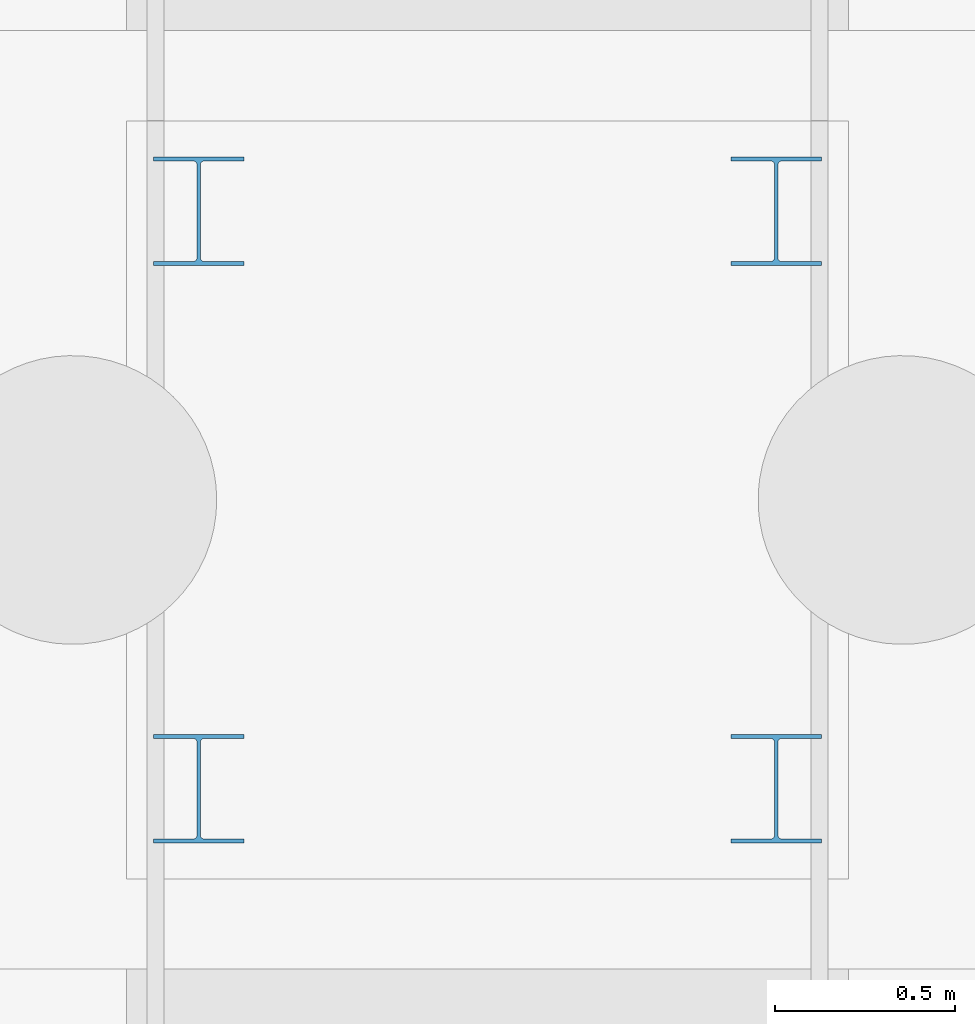
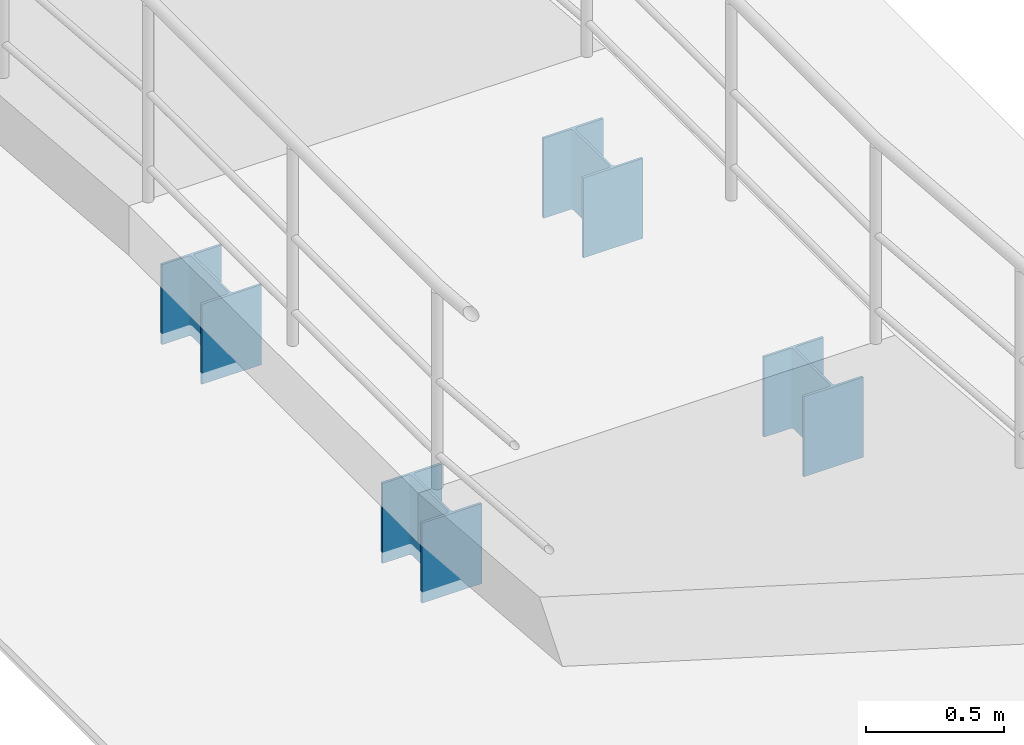
# One storey, part 27 of 147: 4 columns.
"""IFC4 building model written with IfcOpenShell, lengths in metres."""

from ifc_helpers import new_model, si_unit, direction, frame, origin, origin_2d, place, context, subcontext, project, spatial, i_section, extrude, material, material_profile, profile_set, type_object, element, save


model = new_model("IFC4")

# Units and contexts
model_context = context("Model", 3, precision=1e-05, world=origin(), true_north=direction((0.0, 1.0)))
body_context = subcontext(model_context, "Body", "Model", "MODEL_VIEW")
ifc_project = project(units=[si_unit("LENGTHUNIT", "METRE"), si_unit("AREAUNIT", "SQUARE_METRE"), si_unit("VOLUMEUNIT", "CUBIC_METRE"), si_unit("PLANEANGLEUNIT", "RADIAN"), si_unit("MASSUNIT", "GRAM", prefix="KILO")], contexts=[model_context])

# Site, building, storey
site_placement = place(None, origin())
site = spatial("IfcSite", under=ifc_project, at=site_placement, CompositionType="ELEMENT")
building_placement = place(site_placement, origin())
building = spatial("IfcBuilding", under=site, at=building_placement, Name="Varnabhumi Central Station", CompositionType="ELEMENT")
storey_placement = place(building_placement, origin())
storey = spatial("IfcBuildingStorey", under=building, at=storey_placement, Name="L00", CompositionType="ELEMENT", Elevation=0.0)

# Columns
ifc_material = material(Name="Structural steel E350", Category="steel")
ifc_material_profile = material_profile(ifc_material, i_section(OverallWidth=0.25, OverallDepth=0.300048828125, WebThickness=0.009521484375, FlangeThickness=0.010498046875, FilletRadius=0.010986328125, at=origin_2d()), Name="Structural steel E350", Category="steel")
ifc_profile_set = profile_set([ifc_material_profile], Name="Structural steel E350")
column_type = type_object("IfcColumnType", Name="COL-GALLERY-ISHB300", PredefinedType="COLUMN", material=ifc_profile_set)
for number, where, z_axis, x_axis, name in (
    (1, (111.199951171875, 128.64990234375, -1.10009765625), (0.0, 0.0, 1.0), (1.0, 0.0, 0.0), "RMP-NB-W Landing Pier 1"),
    (2, (112.800048828125, 128.64990234375, -1.10009765625), (0.0, 0.0, 1.0), (1.0, 0.0, 0.0), "RMP-NB-W Landing Pier 2"),
    (3, (111.199951171875, 127.050048828125, -1.10009765625), (0.0, 0.0, 1.0), (1.0, 0.0, 0.0), "RMP-NB-W Landing Pier 3"),
    (4, (112.800048828125, 127.050048828125, -1.10009765625), (0.0, 0.0, 1.0), (1.0, 0.0, 0.0), "RMP-NB-W Landing Pier 4"),
):
    element("IfcColumn", number, at=place(storey_placement, frame(where, z_axis=z_axis, x_axis=x_axis)), inside=storey, type_object=column_type, Name=name, PredefinedType="COLUMN", context=body_context, shape_type="SweptSolid", body=[
        extrude(i_section(OverallWidth=0.25, OverallDepth=0.300048828125, WebThickness=0.009521484375, FlangeThickness=0.010498046875, FilletRadius=0.010986328125, at=origin_2d()), origin(), (0.0, 0.0, 1.0), 0.35498046875),
    ])

save(model, "model.ifc")
